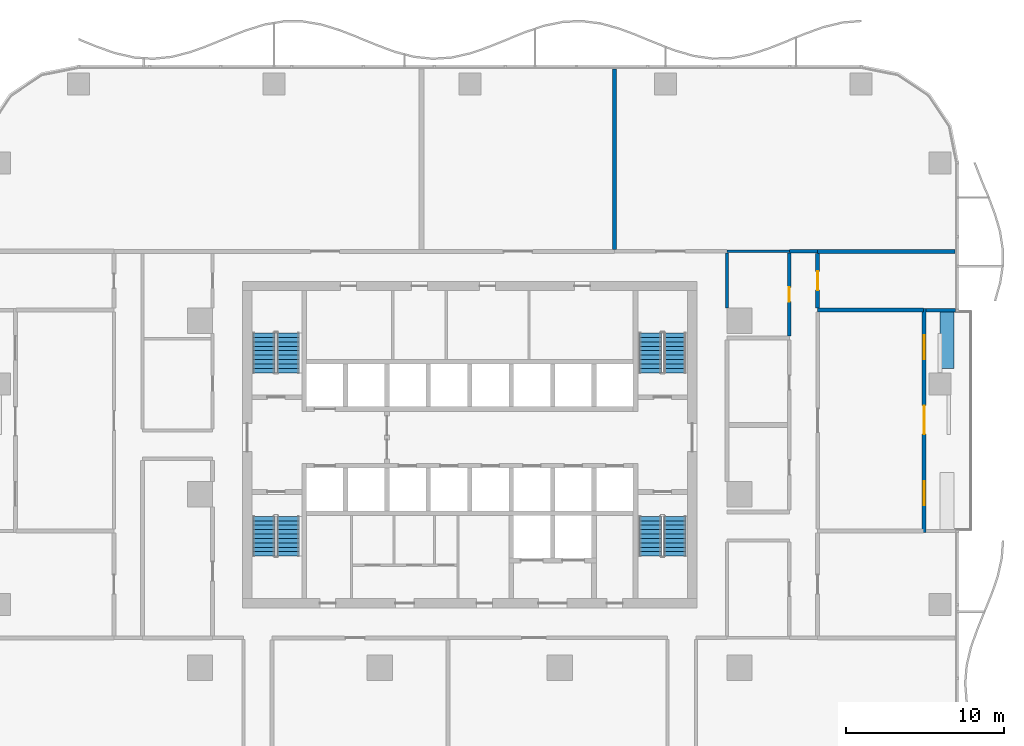
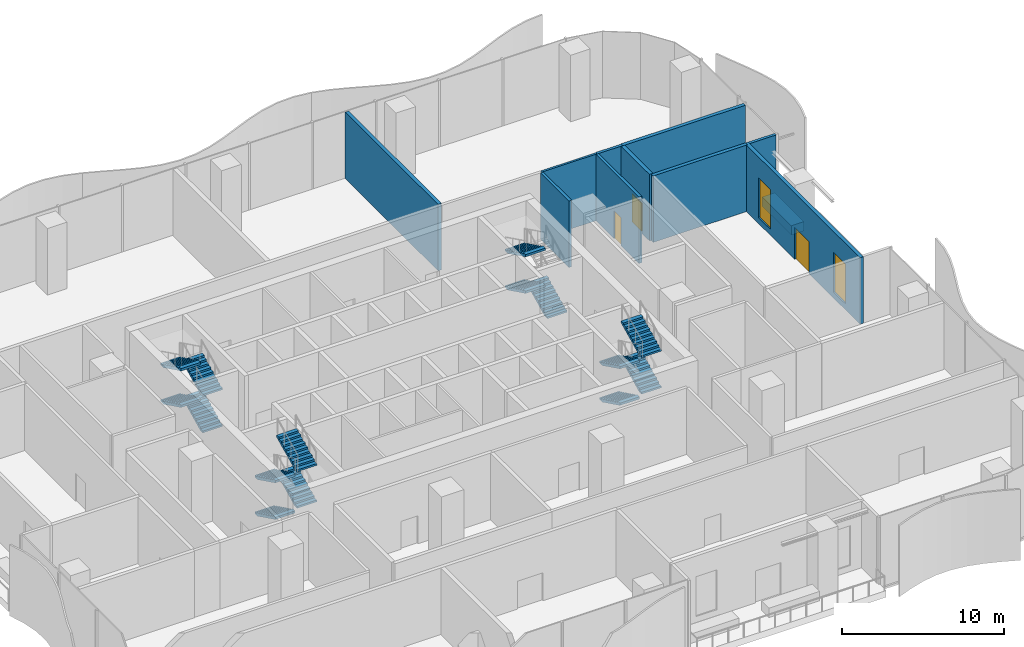
# One storey, part 11 of 20: 15 stair flights, 11 walls, 3 doors, 2 windows, 5 openings, 4 elements without a shape of their own.
"""IFC4 building model written with IfcOpenShell, lengths in metres."""

import ifcopenshell
import ifcopenshell.guid

model = None  # the IFC model being written
_history = None  # IfcOwnerHistory: only IFC2X3 demands one
_inside = {}  # id of a spatial element -> (the spatial element, [elements in it])
_under = {}  # id of a project, library or spatial element -> (it, [spatial elements below it])
_declared = {}  # id of a project -> (the project, [libraries it declares])
_typed = {}  # id of a type object -> (the type object, [elements of that type])
_made_of = {}  # id of a material, layer set ... -> (it, [elements and type objects made of it])


def new_model(schema):
    """Start an empty IFC model of exactly this schema.

    Asked for "IFC4X3", IfcOpenShell would pick the latest addendum, in which some entities
    have other attributes; the version numbers below select the first issue.
    IFC2X3 requires an IfcOwnerHistory on every rooted entity: one is made here for all.
    """
    global model, _history
    if schema == "IFC4X3":
        model = ifcopenshell.file(schema_version=(4, 3, 0, 0))
    else:
        model = ifcopenshell.file(schema=schema)
    _inside.clear()
    _under.clear()
    _declared.clear()
    _typed.clear()
    _made_of.clear()
    _history = None
    if model.schema == "IFC2X3":
        org = make("IfcOrganization", Name="unknown")
        user = make(
            "IfcPersonAndOrganization",
            ThePerson=make("IfcPerson", FamilyName="unknown"),
            TheOrganization=org,
        )
        app = make(
            "IfcApplication",
            ApplicationDeveloper=org,
            Version="unknown",
            ApplicationFullName="unknown",
            ApplicationIdentifier="unknown",
        )
        _history = make(
            "IfcOwnerHistory",
            OwningUser=user,
            OwningApplication=app,
            ChangeAction="ADDED",
            CreationDate=0,
        )
    return model


def make(cls, **values):
    """One entity of the class cls with the attributes given. An attribute that is None is left unset."""
    return model.create_entity(
        cls, **{name: value for name, value in values.items() if value is not None}
    )


def rooted(cls, **values):
    """An entity with a GlobalId (a new one), such as an element, a storey or a relation."""
    return make(cls, GlobalId=ifcopenshell.guid.new(), OwnerHistory=_history, **values)


def si_unit(unit_type, name, prefix=None):
    """IfcSIUnit, for example si_unit("LENGTHUNIT", "METRE", prefix="MILLI")."""
    return make("IfcSIUnit", UnitType=unit_type, Prefix=prefix, Name=name)


def assignment(units):
    """IfcUnitAssignment: the units of a project."""
    return None if units is None else make("IfcUnitAssignment", Units=units)


def point(xyz):
    """IfcCartesianPoint."""
    return None if xyz is None else make("IfcCartesianPoint", Coordinates=xyz)


def direction(xyz):
    """IfcDirection."""
    return None if xyz is None else make("IfcDirection", DirectionRatios=xyz)


def frame(location, z_axis=None, x_axis=None):
    """IfcAxis2Placement3D, a coordinate frame: its origin and axes. An axis left out is left unset."""
    return make(
        "IfcAxis2Placement3D",
        Location=point(location),
        Axis=direction(z_axis),
        RefDirection=direction(x_axis),
    )


def frame_2d(location, x_axis=None):
    """IfcAxis2Placement2D, a coordinate frame in the plane: its origin and x axis."""
    return make(
        "IfcAxis2Placement2D", Location=point(location), RefDirection=direction(x_axis)
    )


def origin():
    """The frame at (0, 0, 0) with its axes left unset."""
    return frame((0.0, 0.0, 0.0))


def place(relative_to, where):
    """IfcLocalPlacement: puts the frame where relative to a parent placement (None: the world)."""
    return make(
        "IfcLocalPlacement", PlacementRelTo=relative_to, RelativePlacement=where
    )


def context(
    kind, dimensions, precision=None, world=None, true_north=None, identifier=None
):
    """IfcGeometricRepresentationContext, for example the 3D "Model" context."""
    return make(
        "IfcGeometricRepresentationContext",
        ContextIdentifier=identifier,
        ContextType=kind,
        CoordinateSpaceDimension=dimensions,
        Precision=precision,
        WorldCoordinateSystem=world,
        TrueNorth=true_north,
    )


def subcontext(parent, identifier, kind, view, scale=None):
    """IfcGeometricRepresentationSubContext, for example "Body" below "Model"."""
    return make(
        "IfcGeometricRepresentationSubContext",
        ContextIdentifier=identifier,
        ContextType=kind,
        ParentContext=parent,
        TargetScale=scale,
        TargetView=view,
    )


def project(units=None, contexts=None):
    """IfcProject with its units and contexts."""
    return rooted(
        "IfcProject",
        Name="project",
        RepresentationContexts=contexts,
        UnitsInContext=assignment(units),
    )


def spatial(cls, under=None, at=None, **own):
    """A site, building, storey or space (cls), placed at a placement, below another one or the project."""
    s = rooted(cls, ObjectPlacement=at, **own)
    if under is not None:
        _under.setdefault(under.id(), (under, []))[1].append(s)
    return s


def polyline(points):
    """IfcPolyline through the points."""
    return make("IfcPolyline", Points=[point(p) for p in points])


def profile(cls, at=None, kind="AREA", **sizes):
    """A parametric profile (cls). Its sizes go by their IFC names, for example OverallWidth=200.0."""
    return make(cls, ProfileType=kind, Position=at, **sizes)


def rectangle(**sizes):
    """IfcRectangleProfileDef."""
    return profile("IfcRectangleProfileDef", **sizes)


def outline(outer, holes=None, kind="AREA"):
    """IfcArbitraryClosedProfileDef: a profile drawn as a closed curve; with holes, ...WithVoids."""
    if holes is None:
        return make("IfcArbitraryClosedProfileDef", ProfileType=kind, OuterCurve=outer)
    return make(
        "IfcArbitraryProfileDefWithVoids",
        ProfileType=kind,
        OuterCurve=outer,
        InnerCurves=holes,
    )


def extrude(swept, where, along, depth):
    """IfcExtrudedAreaSolid: the profile swept, set in the frame where, extruded along a direction by depth."""
    return make(
        "IfcExtrudedAreaSolid",
        SweptArea=swept,
        Position=where,
        ExtrudedDirection=direction(along),
        Depth=depth,
    )


def shape(context_of_items, identifier, shape_type, items):
    """IfcShapeRepresentation: the items that make up one representation, for example the "Body"."""
    return make(
        "IfcShapeRepresentation",
        ContextOfItems=context_of_items,
        RepresentationIdentifier=identifier,
        RepresentationType=shape_type,
        Items=items,
    )


def material(Name=None, Category=None):
    """IfcMaterial."""
    return make("IfcMaterial", Name=Name, Category=Category)


def layer(
    of_material, thickness, ventilated=None, Name=None, Category=None, Priority=None
):
    """IfcMaterialLayer: one layer of a wall or slab, of a material (None: an air gap)."""
    return make(
        "IfcMaterialLayer",
        Material=of_material,
        LayerThickness=thickness,
        IsVentilated=ventilated,
        Name=Name,
        Category=Category,
        Priority=Priority,
    )


def layer_set(layers, Name=None):
    """IfcMaterialLayerSet."""
    return make("IfcMaterialLayerSet", MaterialLayers=layers, LayerSetName=Name)


def made_of(thing, what):
    """Note that an element or type object is made of a material, layer set ...; save() writes the relation."""
    if what is not None:
        _made_of.setdefault(what.id(), (what, []))[1].append(thing)
    return thing


def type_object(cls, material=None, **own):
    """A type object (cls), such as IfcWallType, which elements share."""
    return made_of(rooted(cls, **own), material)


def element(
    cls,
    number,
    at=None,
    inside=None,
    cuts=None,
    type_object=None,
    material=None,
    context=None,
    identifier="Body",
    shape_type=None,
    held_by="IfcProductDefinitionShape",
    body=None,
    shapes=None,
    **own,
):
    """One element of the class cls, such as IfcWall. Its Tag is "e" and its number.

    at: its placement. inside: the storey or other place that contains it. cuts: it is an
    opening in that element (IfcRelVoidsElement). A single representation is given by context,
    identifier, shape_type and body (its items); several are given by shapes. held_by: the class
    of the entity that holds the representations. save() writes the other relations.
    """
    e = rooted(cls, Tag="e%d" % number, ObjectPlacement=at, **own)
    if body is not None:
        shapes = [shape(context, identifier, shape_type, body)]
    if shapes is not None:
        e.Representation = make(held_by, Representations=shapes)
    if inside is not None:
        _inside.setdefault(inside.id(), (inside, []))[1].append(e)
    if cuts is not None:
        rooted(
            "IfcRelVoidsElement", RelatingBuildingElement=cuts, RelatedOpeningElement=e
        )
    if type_object is not None:
        _typed.setdefault(type_object.id(), (type_object, []))[1].append(e)
    return made_of(e, material)


def fill(opening, filler):
    """IfcRelFillsElement: the door or window that sits in an opening."""
    return rooted(
        "IfcRelFillsElement",
        RelatingOpeningElement=opening,
        RelatedBuildingElement=filler,
    )


def aggregate(whole, parts):
    """IfcRelAggregates: a whole, such as a stair, and the parts it consists of."""
    return rooted("IfcRelAggregates", RelatingObject=whole, RelatedObjects=parts)


def save(model, path):
    """Write the relations noted so far, then the file.

    IfcRelAggregates (storeys below a building ...), IfcRelContainedInSpatialStructure (elements
    in a storey), IfcRelDefinesByType, IfcRelAssociatesMaterial and IfcRelDeclares: one each for
    every whole, place, type object, material and project.
    """
    for whole, parts in _under.values():
        aggregate(whole, parts)
    for where, things in _inside.values():
        rooted(
            "IfcRelContainedInSpatialStructure",
            RelatedElements=things,
            RelatingStructure=where,
        )
    for kind, things in _typed.values():
        rooted("IfcRelDefinesByType", RelatedObjects=things, RelatingType=kind)
    for what, things in _made_of.values():
        rooted("IfcRelAssociatesMaterial", RelatedObjects=things, RelatingMaterial=what)
    for by, libraries in _declared.values():
        rooted("IfcRelDeclares", RelatingContext=by, RelatedDefinitions=libraries)
    model.write(path)


model = new_model("IFC4")

# Units and contexts
model_context = context("Model", 3, precision=1e-05, world=origin(), true_north=direction((0.0, 1.0)))
body_context = subcontext(model_context, "Body", "Model", "MODEL_VIEW")
ifc_project = project(units=[si_unit("LENGTHUNIT", "METRE"), si_unit("AREAUNIT", "SQUARE_METRE"), si_unit("VOLUMEUNIT", "CUBIC_METRE"), si_unit("PLANEANGLEUNIT", "RADIAN"), si_unit("MASSUNIT", "GRAM", prefix="KILO")], contexts=[model_context])

# Site, building, storey
site_placement = place(None, origin())
site = spatial("IfcSite", under=ifc_project, at=site_placement, CompositionType="ELEMENT")
building_placement = place(site_placement, origin())
building = spatial("IfcBuilding", under=site, at=building_placement, Name="Mopane Tessera Tower", CompositionType="ELEMENT")
storey_placement = place(building_placement, frame((0.0, 0.0, 14.5)))
storey = spatial("IfcBuildingStorey", under=building, at=storey_placement, Name="L02", CompositionType="ELEMENT", Elevation=14.5)

# Walls
ifc_material_1 = material(Name="Gypsum board on steel studs, two layers each face, mineral wool infill", Category="steel")
ifc_layer_1 = layer(ifc_material_1, 0.199951171875)
ifc_layer_set_1 = layer_set([ifc_layer_1], Name="Gypsum board on steel studs, two layers each face, mineral wool infill")
wall_type_1 = type_object("IfcWallType", Name="Gypsum board corridor wall 200, rated EI 60", PredefinedType="PARTITIONING", material=ifc_layer_set_1)
wall_1_placement = place(storey_placement, frame((20.25, 15.39990234375, 0.0), z_axis=(0.0, 0.0, 1.0), x_axis=(1.0, 0.0, 0.0)))
element("IfcWall", 1, at=wall_1_placement, inside=storey, type_object=wall_type_1, Name="Partition L02:030", PredefinedType="PARTITIONING", context=body_context, shape_type="SweptSolid", body=[
    extrude(rectangle(XDim=1.800048828125, YDim=0.199951171875, at=frame_2d((0.89990234375, 0.0))), origin(), (0.0, 0.0, 1.0), 5.0),
])
wall_2_placement = place(storey_placement, frame((16.300048828125, 11.800048828125, 0.0), z_axis=(0.0, 0.0, 1.0), x_axis=(0.0, 1.0, 0.0)))
element("IfcWall", 2, at=wall_2_placement, inside=storey, type_object=wall_type_1, Name="Partition L02:054", PredefinedType="PARTITIONING", context=body_context, shape_type="SweptSolid", body=[
    extrude(rectangle(XDim=3.5, YDim=0.199951171875, at=frame_2d((1.75, 0.0))), origin(), (0.0, 0.0, 1.0), 5.0),
])

# Wall, opening, door
wall_3_placement = place(storey_placement, frame((20.25, 10.014892578125, 0.0), z_axis=(0.0, 0.0, 1.0), x_axis=(0.0, 1.0, 0.0)))
wall_3 = element("IfcWall", 3, at=wall_3_placement, inside=storey, type_object=wall_type_1, Name="Partition L02:057", PredefinedType="PARTITIONING", context=body_context, shape_type="SweptSolid", body=[
    extrude(rectangle(XDim=5.28515625, YDim=0.199951171875, at=frame_2d((2.642578125, 0.0))), origin(), (0.0, 0.0, 1.0), 5.0),
])
opening_1_placement = place(wall_3_placement, frame((2.1923828125, 0.0, 0.0)))
opening_1 = element("IfcOpeningElement", 4, at=opening_1_placement, cuts=wall_3, Name="Opening L02-20", PredefinedType="OPENING", context=body_context, shape_type="SweptSolid", body=[
    extrude(rectangle(XDim=0.89990234375, YDim=2.10009765625, at=frame_2d((0.449951171875, 1.050048828125))), frame((0.0, 0.112060546875, 0.0), z_axis=(0.0, -1.0, 0.0), x_axis=(1.0, 0.0, 0.0)), (0.0, 0.0, 1.0), 0.223876953125),
])
ifc_material_2 = material(Name="Timber veneered steel-framed fire door", Category="steel")
door_type_1 = type_object("IfcDoorType", Name="Fire door FD60 900 x 2100", OperationType="SINGLE_SWING_LEFT", PredefinedType="DOOR", material=ifc_material_2)
door_1_placement = place(opening_1_placement, origin())
door_1 = element("IfcDoor", 5, at=door_1_placement, inside=storey, type_object=door_type_1, Name="Door L02-20", ObjectType="D10A", OperationType="SINGLE_SWING_LEFT", OverallHeight=2.10009765625, OverallWidth=0.89990234375, PredefinedType="DOOR", context=body_context, shape_type="SweptSolid", body=[
    extrude(rectangle(XDim=0.89990234375, YDim=2.10009765625, at=frame_2d((0.449951171875, 1.050048828125))), frame((0.0, 0.02490234375, 0.0), z_axis=(0.0, -1.0, 0.0), x_axis=(1.0, 0.0, 0.0)), (0.0, 0.0, 1.0), 0.050048828125),
])
fill(opening_1, door_1)

# Walls
ifc_material_3 = material(Name="Gypsum board on steel studs, mineral wool infill", Category="steel")
ifc_layer_2 = layer(ifc_material_3, 0.14990234375)
ifc_layer_set_2 = layer_set([ifc_layer_2], Name="Gypsum board on steel studs, mineral wool infill")
wall_type_2 = type_object("IfcWallType", Name="Gypsum board partition 150, rated EI 60", PredefinedType="PARTITIONING", material=ifc_layer_set_2)
wall_4_placement = place(storey_placement, frame((16.300048828125, 15.39990234375, 0.0), z_axis=(0.0, 0.0, 1.0), x_axis=(1.0, 0.0, 0.0)))
element("IfcWall", 6, at=wall_4_placement, inside=storey, type_object=wall_type_2, Name="Partition L02:028", PredefinedType="PARTITIONING", context=body_context, shape_type="SweptSolid", body=[
    extrude(rectangle(XDim=3.949951171875, YDim=0.14990234375, at=frame_2d((1.97509765625, 0.0))), origin(), (0.0, 0.0, 1.0), 5.0),
])
ifc_material_4 = material(Name="Reinforced concrete C32/40 with waterproofing", Category="concrete")
ifc_layer_3 = layer(ifc_material_4, 0.89990234375)
ifc_layer_set_3 = layer_set([ifc_layer_3], Name="Reinforced concrete C32/40 with waterproofing")
wall_type_3 = type_object("IfcWallType", Name="Planter trough 3600 x 900", PredefinedType="STANDARD", material=ifc_layer_set_3)
wall_5_placement = place(storey_placement, frame((30.25, 7.966552734375, 0.0), z_axis=(0.0, 0.0, 1.0), x_axis=(0.0, 1.0, 0.0)))
element("IfcWall", 7, at=wall_5_placement, inside=storey, type_object=wall_type_3, Name="e:nw:L02:N2:pl1", PredefinedType="STANDARD", context=body_context, shape_type="SweptSolid", body=[
    extrude(rectangle(XDim=3.60009765625, YDim=0.89990234375, at=frame_2d((1.800048828125, 0.0))), origin(), (0.0, 0.0, 1.0), 0.699951171875),
])
ifc_material_5 = material(Name="Plastered concrete blockwork C20/25", Category="masonry")
ifc_layer_4 = layer(ifc_material_5, 0.25)
ifc_layer_set_4 = layer_set([ifc_layer_4], Name="Plastered concrete blockwork C20/25")
wall_type_4 = type_object("IfcWallType", Name="Plastered blockwork wall 250, rated EI 120", PredefinedType="PARTITIONING", material=ifc_layer_set_4)
wall_6_placement = place(storey_placement, frame((22.050048828125, 11.6650390625, 0.0), z_axis=(0.0, 0.0, 1.0), x_axis=(1.0, 0.0, 0.0)))
element("IfcWall", 8, at=wall_6_placement, inside=storey, type_object=wall_type_4, Name="Partition L02:027", PredefinedType="PARTITIONING", context=body_context, shape_type="SweptSolid", body=[
    extrude(rectangle(XDim=6.699951171875, YDim=0.25, at=frame_2d((3.35009765625, 0.0))), origin(), (0.0, 0.0, 1.0), 5.0),
])
wall_7_placement = place(storey_placement, frame((22.050048828125, 15.39990234375, 0.0), z_axis=(0.0, 0.0, 1.0), x_axis=(1.0, 0.0, 0.0)))
element("IfcWall", 9, at=wall_7_placement, inside=storey, type_object=wall_type_4, Name="Partition L02:032", PredefinedType="PARTITIONING", context=body_context, shape_type="SweptSolid", body=[
    extrude(rectangle(XDim=8.699951171875, YDim=0.25, at=frame_2d((4.35009765625, 0.0))), origin(), (0.0, 0.0, 1.0), 5.0),
])
wall_8_placement = place(storey_placement, frame((9.1650390625, 15.52490234375, 0.0), z_axis=(0.0, 0.0, 1.0), x_axis=(0.0, 1.0, 0.0)))
element("IfcWall", 10, at=wall_8_placement, inside=storey, type_object=wall_type_4, Name="Partition L02:049", PredefinedType="PARTITIONING", context=body_context, shape_type="SweptSolid", body=[
    extrude(rectangle(XDim=11.425048828125, YDim=0.25, at=frame_2d((5.71240234375, 0.0))), origin(), (0.0, 0.0, 1.0), 5.0),
])

# Wall, opening, door
wall_9_placement = place(storey_placement, frame((22.050048828125, 11.7900390625, 0.0), z_axis=(0.0, 0.0, 1.0), x_axis=(0.0, 1.0, 0.0)))
wall_9 = element("IfcWall", 11, at=wall_9_placement, inside=storey, type_object=wall_type_4, Name="Partition L02:061", PredefinedType="PARTITIONING", context=body_context, shape_type="SweptSolid", body=[
    extrude(rectangle(XDim=3.48486328125, YDim=0.25, at=frame_2d((1.742431640625, 0.0))), origin(), (0.0, 0.0, 1.0), 5.0),
])
opening_2_placement = place(wall_9_placement, frame((1.142578125, 0.0, 0.0)))
opening_2 = element("IfcOpeningElement", 12, at=opening_2_placement, cuts=wall_9, Name="Opening L02-03", PredefinedType="OPENING", context=body_context, shape_type="SweptSolid", body=[
    extrude(rectangle(XDim=1.199951171875, YDim=2.10009765625, at=frame_2d((0.60009765625, 1.050048828125))), frame((0.0, 0.136962890625, 0.0), z_axis=(0.0, -1.0, 0.0), x_axis=(1.0, 0.0, 0.0)), (0.0, 0.0, 1.0), 0.27392578125),
])
ifc_material_6 = material(Name="Timber veneered steel-framed fire door", Category="steel")
door_type_2 = type_object("IfcDoorType", Name="Fire door FD120 1200 x 2100", OperationType="SINGLE_SWING_LEFT", PredefinedType="DOOR", material=ifc_material_6)
door_2_placement = place(opening_2_placement, origin())
door_2 = element("IfcDoor", 13, at=door_2_placement, inside=storey, type_object=door_type_2, Name="Door L02-03", ObjectType="D15B", OperationType="SINGLE_SWING_RIGHT", OverallHeight=2.10009765625, OverallWidth=1.199951171875, PredefinedType="DOOR", context=body_context, shape_type="SweptSolid", body=[
    extrude(rectangle(XDim=1.199951171875, YDim=2.10009765625, at=frame_2d((0.60009765625, 1.050048828125))), frame((0.0, 0.02490234375, 0.0), z_axis=(0.0, -1.0, 0.0), x_axis=(1.0, 0.0, 0.0)), (0.0, 0.0, 1.0), 0.050048828125),
])
fill(opening_2, door_2)

# Wall
ifc_material_7 = material(Name="Blockwork with glazed tile facing", Category="masonry")
ifc_layer_5 = layer(ifc_material_7, 0.199951171875)
ifc_layer_set_5 = layer_set([ifc_layer_5], Name="Blockwork with glazed tile facing")
wall_type_5 = type_object("IfcWallType", Name="Terrace cheek wall 200", PredefinedType="STANDARD", material=ifc_layer_set_5)
wall_10_placement = place(storey_placement, frame((30.800048828125, 11.666748046875, 0.0), z_axis=(0.0, 0.0, 1.0), x_axis=(-1.0, 0.0, 0.0)))
element("IfcWall", 14, at=wall_10_placement, inside=storey, type_object=wall_type_5, Name="e:nw:L02:N2:cheekb", PredefinedType="STANDARD", context=body_context, shape_type="SweptSolid", body=[
    extrude(rectangle(XDim=1.875, YDim=0.199951171875, at=frame_2d((0.9375, 0.0))), origin(), (0.0, 0.0, 1.0), 5.0),
])

# Wall, openings, windows, door
ifc_material_8 = material(Name="Blockwork with turquoise glazed tile facing", Category="masonry")
ifc_layer_6 = layer(ifc_material_8, 0.25)
ifc_layer_set_6 = layer_set([ifc_layer_6], Name="Blockwork with turquoise glazed tile facing")
wall_type_6 = type_object("IfcWallType", Name="Tile-clad external wall 250, turquoise", PredefinedType="STANDARD", material=ifc_layer_set_6)
wall_11_placement = place(storey_placement, frame((28.800048828125, -2.433349609375, 0.0), z_axis=(0.0, 0.0, 1.0), x_axis=(0.0, 1.0, 0.0)))
wall_11 = element("IfcWall", 15, at=wall_11_placement, inside=storey, type_object=wall_type_6, Name="e:nw:L02:N2:back", PredefinedType="STANDARD", context=body_context, shape_type="SweptSolid", body=[
    extrude(rectangle(XDim=14.199951171875, YDim=0.25, at=frame_2d((7.10009765625, 0.0))), origin(), (0.0, 0.0, 1.0), 5.0),
])
opening_3_placement = place(wall_11_placement, frame((1.75, 0.0, 0.449951171875)))
opening_3 = element("IfcOpeningElement", 16, at=opening_3_placement, cuts=wall_11, Name="Opening NW022A", PredefinedType="OPENING", context=body_context, shape_type="SweptSolid", body=[
    extrude(rectangle(XDim=1.5, YDim=3.0, at=frame_2d((0.75, 1.5))), frame((0.0, 0.136962890625, 0.0), z_axis=(0.0, -1.0, 0.0), x_axis=(1.0, 0.0, 0.0)), (0.0, 0.0, 1.0), 0.27392578125),
])
opening_4_placement = place(wall_11_placement, frame((6.25, 0.0, 0.0)))
opening_4 = element("IfcOpeningElement", 17, at=opening_4_placement, cuts=wall_11, Name="Opening ND022", PredefinedType="OPENING", context=body_context, shape_type="SweptSolid", body=[
    extrude(rectangle(XDim=1.800048828125, YDim=2.39990234375, at=frame_2d((0.89990234375, 1.199951171875))), frame((0.0, 0.136962890625, 0.0), z_axis=(0.0, -1.0, 0.0), x_axis=(1.0, 0.0, 0.0)), (0.0, 0.0, 1.0), 0.27392578125),
])
opening_5_placement = place(wall_11_placement, frame((11.0, 0.0, 0.449951171875)))
opening_5 = element("IfcOpeningElement", 18, at=opening_5_placement, cuts=wall_11, Name="Opening NW022B", PredefinedType="OPENING", context=body_context, shape_type="SweptSolid", body=[
    extrude(rectangle(XDim=1.5, YDim=3.0, at=frame_2d((0.75, 1.5))), frame((0.0, 0.136962890625, 0.0), z_axis=(0.0, -1.0, 0.0), x_axis=(1.0, 0.0, 0.0)), (0.0, 0.0, 1.0), 0.27392578125),
])
ifc_material_9 = material(Name="Clear laminated glass", Category="glass")
window_type = type_object("IfcWindowType", Name="Fixed window 1500 x 3000", PartitioningType="SINGLE_PANEL", PredefinedType="WINDOW", material=ifc_material_9)
window_1_placement = place(opening_3_placement, origin())
window_1 = element("IfcWindow", 19, at=window_1_placement, inside=storey, type_object=window_type, Name="e:nw:L02:N2:win0", OverallHeight=3.0, OverallWidth=1.5, PartitioningType="SINGLE_PANEL", PredefinedType="WINDOW", context=body_context, shape_type="SweptSolid", body=[
    extrude(rectangle(XDim=1.5, YDim=3.0, at=frame_2d((0.75, 1.5))), frame((0.0, 0.030029296875, 0.0), z_axis=(0.0, -1.0, 0.0), x_axis=(1.0, 0.0, 0.0)), (0.0, 0.0, 1.0), 0.06005859375),
])
fill(opening_3, window_1)
window_2_placement = place(opening_5_placement, origin())
window_2 = element("IfcWindow", 20, at=window_2_placement, inside=storey, type_object=window_type, Name="e:nw:L02:N2:win2", OverallHeight=3.0, OverallWidth=1.5, PartitioningType="SINGLE_PANEL", PredefinedType="WINDOW", context=body_context, shape_type="SweptSolid", body=[
    extrude(rectangle(XDim=1.5, YDim=3.0, at=frame_2d((0.75, 1.5))), frame((0.0, 0.030029296875, 0.0), z_axis=(0.0, -1.0, 0.0), x_axis=(1.0, 0.0, 0.0)), (0.0, 0.0, 1.0), 0.06005859375),
])
fill(opening_5, window_2)
ifc_material_10 = material(Name="Aluminium and clear glass", Category="aluminium")
door_type_3 = type_object("IfcDoorType", Name="Terrace double door 1800 x 2400", OperationType="DOUBLE_DOOR_SINGLE_SWING", PredefinedType="DOOR", material=ifc_material_10)
door_3_placement = place(opening_4_placement, origin())
door_3 = element("IfcDoor", 21, at=door_3_placement, inside=storey, type_object=door_type_3, Name="e:nw:L02:N2:door", ObjectType="D1", OperationType="DOUBLE_DOOR_SINGLE_SWING", OverallHeight=2.39990234375, OverallWidth=1.800048828125, PredefinedType="DOOR", context=body_context, shape_type="SweptSolid", body=[
    extrude(rectangle(XDim=1.800048828125, YDim=2.39990234375, at=frame_2d((0.89990234375, 1.199951171875))), frame((0.0, 0.02490234375, 0.0), z_axis=(0.0, -1.0, 0.0), x_axis=(1.0, 0.0, 0.0)), (0.0, 0.0, 1.0), 0.050048828125),
])
fill(opening_4, door_3)

# Stair, stair flights
ifc_material_11 = material(Name="Concrete C50/60", Category="concrete")
stair_type = type_object("IfcStairType", Name="Escape stair 1400 mm, riser 138 mm", PredefinedType="HALF_TURN_STAIR", material=ifc_material_11)
stair_1_placement = place(storey_placement, origin())
stair_1 = element("IfcStair", 22, at=stair_1_placement, inside=storey, type_object=stair_type, Name="L02 Escape stair south-west", PredefinedType="HALF_TURN_STAIR")
ifc_material_12 = material(Name="Concrete C50/60", Category="concrete")
stair_flight_type = type_object("IfcStairFlightType", Name="Escape stair flight 1400 mm", PredefinedType="STRAIGHT", material=ifc_material_12)
stair_flight_1_placement = place(storey_placement, frame((-13.050048828125, -1.39990234375, 0.0), z_axis=(0.0, 0.0, 1.0), x_axis=(0.0, -1.0, 0.0)))
stair_flight_1 = element("IfcStairFlight", 23, at=stair_flight_1_placement, type_object=stair_flight_type, Name="ST1 flight 1", NumberOfRisers=10, NumberOfTreads=9, PredefinedType="STRAIGHT", RiserHeight=0.1375, TreadLength=0.28, context=body_context, shape_type="SweptSolid", body=[
    extrude(outline(polyline([(0.0, 0.0), (0.0, 0.137451171875), (0.280029296875, 0.137451171875), (0.280029296875, 0.27490234375), (0.56005859375, 0.27490234375), (0.56005859375, 0.41259765625), (0.840087890625, 0.41259765625), (0.840087890625, 0.550048828125), (1.1201171875, 0.550048828125), (1.1201171875, 0.6875), (1.39990234375, 0.6875), (1.39990234375, 0.824951171875), (1.679931640625, 0.824951171875), (1.679931640625, 0.96240234375), (1.9599609375, 0.96240234375), (1.9599609375, 1.10009765625), (2.239990234375, 1.10009765625), (2.239990234375, 1.237548828125), (2.52001953125, 1.237548828125), (2.52001953125, 1.375), (2.52001953125, 1.070556640625), (0.340087890625, 0.0), (0.0, 0.0)])), frame((0.0, 0.699951171875, 0.0), z_axis=(0.0, -1.0, 0.0), x_axis=(1.0, 0.0, 0.0)), (0.0, 0.0, 1.0), 1.39990234375),
])
stair_flight_2_placement = place(storey_placement, frame((-11.5, -3.919921875, 1.375), z_axis=(0.0, 0.0, 1.0), x_axis=(0.0, 1.0, 0.0)))
stair_flight_2 = element("IfcStairFlight", 24, at=stair_flight_2_placement, type_object=stair_flight_type, Name="ST1 flight 2", NumberOfRisers=10, NumberOfTreads=9, PredefinedType="STRAIGHT", RiserHeight=0.1375, TreadLength=0.28, context=body_context, shape_type="SweptSolid", body=[
    extrude(outline(polyline([(0.0, 0.0), (0.0, 0.137451171875), (0.280029296875, 0.137451171875), (0.280029296875, 0.27490234375), (0.56005859375, 0.27490234375), (0.56005859375, 0.41259765625), (0.840087890625, 0.41259765625), (0.840087890625, 0.550048828125), (1.1201171875, 0.550048828125), (1.1201171875, 0.6875), (1.39990234375, 0.6875), (1.39990234375, 0.824951171875), (1.679931640625, 0.824951171875), (1.679931640625, 0.96240234375), (1.9599609375, 0.96240234375), (1.9599609375, 1.10009765625), (2.239990234375, 1.10009765625), (2.239990234375, 1.237548828125), (2.52001953125, 1.237548828125), (2.52001953125, 1.375), (2.52001953125, 1.070556640625), (0.340087890625, 0.0), (0.0, 0.0)])), frame((0.0, 0.699951171875, 0.0), z_axis=(0.0, -1.0, 0.0), x_axis=(1.0, 0.0, 0.0)), (0.0, 0.0, 1.0), 1.39990234375),
])
stair_flight_3_placement = place(storey_placement, frame((-13.050048828125, -1.39990234375, 2.75), z_axis=(0.0, 0.0, 1.0), x_axis=(0.0, -1.0, 0.0)))
stair_flight_3 = element("IfcStairFlight", 25, at=stair_flight_3_placement, type_object=stair_flight_type, Name="ST1 flight 3", NumberOfRisers=10, NumberOfTreads=9, PredefinedType="STRAIGHT", RiserHeight=0.1375, TreadLength=0.28, context=body_context, shape_type="SweptSolid", body=[
    extrude(outline(polyline([(0.0, 0.0), (0.0, 0.137451171875), (0.280029296875, 0.137451171875), (0.280029296875, 0.27490234375), (0.56005859375, 0.27490234375), (0.56005859375, 0.41259765625), (0.840087890625, 0.41259765625), (0.840087890625, 0.550048828125), (1.1201171875, 0.550048828125), (1.1201171875, 0.6875), (1.39990234375, 0.6875), (1.39990234375, 0.824951171875), (1.679931640625, 0.824951171875), (1.679931640625, 0.96240234375), (1.9599609375, 0.96240234375), (1.9599609375, 1.10009765625), (2.239990234375, 1.10009765625), (2.239990234375, 1.237548828125), (2.52001953125, 1.237548828125), (2.52001953125, 1.375), (2.52001953125, 1.070556640625), (0.340087890625, 0.0), (0.0, 0.0)])), frame((0.0, 0.699951171875, 0.0), z_axis=(0.0, -1.0, 0.0), x_axis=(1.0, 0.0, 0.0)), (0.0, 0.0, 1.0), 1.39990234375),
])
stair_flight_4_placement = place(storey_placement, frame((-11.5, -3.919921875, 4.125), z_axis=(0.0, 0.0, 1.0), x_axis=(0.0, 1.0, 0.0)))
stair_flight_4 = element("IfcStairFlight", 26, at=stair_flight_4_placement, type_object=stair_flight_type, Name="ST1 flight 4", NumberOfRisers=10, NumberOfTreads=9, PredefinedType="STRAIGHT", RiserHeight=0.1375, TreadLength=0.28, context=body_context, shape_type="SweptSolid", body=[
    extrude(outline(polyline([(0.0, 0.0), (0.0, 0.137451171875), (0.280029296875, 0.137451171875), (0.280029296875, 0.27490234375), (0.56005859375, 0.27490234375), (0.56005859375, 0.41259765625), (0.840087890625, 0.41259765625), (0.840087890625, 0.550048828125), (1.1201171875, 0.550048828125), (1.1201171875, 0.6875), (1.39990234375, 0.6875), (1.39990234375, 0.824951171875), (1.679931640625, 0.824951171875), (1.679931640625, 0.96240234375), (1.9599609375, 0.96240234375), (1.9599609375, 1.10009765625), (2.239990234375, 1.10009765625), (2.239990234375, 1.237548828125), (2.52001953125, 1.237548828125), (2.52001953125, 1.375), (2.52001953125, 1.070556640625), (0.340087890625, 0.0), (0.0, 0.0)])), frame((0.0, 0.699951171875, 0.0), z_axis=(0.0, -1.0, 0.0), x_axis=(1.0, 0.0, 0.0)), (0.0, 0.0, 1.0), 1.39990234375),
])
aggregate(stair_1, [stair_flight_1, stair_flight_2, stair_flight_3, stair_flight_4])

stair_2_placement = place(storey_placement, origin())
stair_2 = element("IfcStair", 27, at=stair_2_placement, inside=storey, type_object=stair_type, Name="L02 Escape stair north-west", PredefinedType="HALF_TURN_STAIR")
stair_flight_5_placement = place(storey_placement, frame((-11.5, 7.699951171875, 0.0), z_axis=(0.0, 0.0, 1.0), x_axis=(0.0, 1.0, 0.0)))
stair_flight_5 = element("IfcStairFlight", 28, at=stair_flight_5_placement, type_object=stair_flight_type, Name="ST2 flight 1", NumberOfRisers=10, NumberOfTreads=9, PredefinedType="STRAIGHT", RiserHeight=0.1375, TreadLength=0.28, context=body_context, shape_type="SweptSolid", body=[
    extrude(outline(polyline([(0.0, 0.0), (0.0, 0.137451171875), (0.280029296875, 0.137451171875), (0.280029296875, 0.27490234375), (0.56005859375, 0.27490234375), (0.56005859375, 0.41259765625), (0.840087890625, 0.41259765625), (0.840087890625, 0.550048828125), (1.1201171875, 0.550048828125), (1.1201171875, 0.6875), (1.39990234375, 0.6875), (1.39990234375, 0.824951171875), (1.679931640625, 0.824951171875), (1.679931640625, 0.96240234375), (1.9599609375, 0.96240234375), (1.9599609375, 1.10009765625), (2.239990234375, 1.10009765625), (2.239990234375, 1.237548828125), (2.52001953125, 1.237548828125), (2.52001953125, 1.375), (2.52001953125, 1.070556640625), (0.340087890625, 0.0), (0.0, 0.0)])), frame((0.0, 0.699951171875, 0.0), z_axis=(0.0, -1.0, 0.0), x_axis=(1.0, 0.0, 0.0)), (0.0, 0.0, 1.0), 1.39990234375),
])
stair_flight_6_placement = place(storey_placement, frame((-13.050048828125, 10.219970703125, 1.375), z_axis=(0.0, 0.0, 1.0), x_axis=(0.0, -1.0, 0.0)))
stair_flight_6 = element("IfcStairFlight", 29, at=stair_flight_6_placement, type_object=stair_flight_type, Name="ST2 flight 2", NumberOfRisers=10, NumberOfTreads=9, PredefinedType="STRAIGHT", RiserHeight=0.1375, TreadLength=0.28, context=body_context, shape_type="SweptSolid", body=[
    extrude(outline(polyline([(0.0, 0.0), (0.0, 0.137451171875), (0.280029296875, 0.137451171875), (0.280029296875, 0.27490234375), (0.56005859375, 0.27490234375), (0.56005859375, 0.41259765625), (0.840087890625, 0.41259765625), (0.840087890625, 0.550048828125), (1.1201171875, 0.550048828125), (1.1201171875, 0.6875), (1.39990234375, 0.6875), (1.39990234375, 0.824951171875), (1.679931640625, 0.824951171875), (1.679931640625, 0.96240234375), (1.9599609375, 0.96240234375), (1.9599609375, 1.10009765625), (2.239990234375, 1.10009765625), (2.239990234375, 1.237548828125), (2.52001953125, 1.237548828125), (2.52001953125, 1.375), (2.52001953125, 1.070556640625), (0.340087890625, 0.0), (0.0, 0.0)])), frame((0.0, 0.699951171875, 0.0), z_axis=(0.0, -1.0, 0.0), x_axis=(1.0, 0.0, 0.0)), (0.0, 0.0, 1.0), 1.39990234375),
])
stair_flight_7_placement = place(storey_placement, frame((-11.5, 7.699951171875, 2.75), z_axis=(0.0, 0.0, 1.0), x_axis=(0.0, 1.0, 0.0)))
stair_flight_7 = element("IfcStairFlight", 30, at=stair_flight_7_placement, type_object=stair_flight_type, Name="ST2 flight 3", NumberOfRisers=10, NumberOfTreads=9, PredefinedType="STRAIGHT", RiserHeight=0.1375, TreadLength=0.28, context=body_context, shape_type="SweptSolid", body=[
    extrude(outline(polyline([(0.0, 0.0), (0.0, 0.137451171875), (0.280029296875, 0.137451171875), (0.280029296875, 0.27490234375), (0.56005859375, 0.27490234375), (0.56005859375, 0.41259765625), (0.840087890625, 0.41259765625), (0.840087890625, 0.550048828125), (1.1201171875, 0.550048828125), (1.1201171875, 0.6875), (1.39990234375, 0.6875), (1.39990234375, 0.824951171875), (1.679931640625, 0.824951171875), (1.679931640625, 0.96240234375), (1.9599609375, 0.96240234375), (1.9599609375, 1.10009765625), (2.239990234375, 1.10009765625), (2.239990234375, 1.237548828125), (2.52001953125, 1.237548828125), (2.52001953125, 1.375), (2.52001953125, 1.070556640625), (0.340087890625, 0.0), (0.0, 0.0)])), frame((0.0, 0.699951171875, 0.0), z_axis=(0.0, -1.0, 0.0), x_axis=(1.0, 0.0, 0.0)), (0.0, 0.0, 1.0), 1.39990234375),
])
stair_flight_8_placement = place(storey_placement, frame((-13.050048828125, 10.219970703125, 4.125), z_axis=(0.0, 0.0, 1.0), x_axis=(0.0, -1.0, 0.0)))
stair_flight_8 = element("IfcStairFlight", 31, at=stair_flight_8_placement, type_object=stair_flight_type, Name="ST2 flight 4", NumberOfRisers=10, NumberOfTreads=9, PredefinedType="STRAIGHT", RiserHeight=0.1375, TreadLength=0.28, context=body_context, shape_type="SweptSolid", body=[
    extrude(outline(polyline([(0.0, 0.0), (0.0, 0.137451171875), (0.280029296875, 0.137451171875), (0.280029296875, 0.27490234375), (0.56005859375, 0.27490234375), (0.56005859375, 0.41259765625), (0.840087890625, 0.41259765625), (0.840087890625, 0.550048828125), (1.1201171875, 0.550048828125), (1.1201171875, 0.6875), (1.39990234375, 0.6875), (1.39990234375, 0.824951171875), (1.679931640625, 0.824951171875), (1.679931640625, 0.96240234375), (1.9599609375, 0.96240234375), (1.9599609375, 1.10009765625), (2.239990234375, 1.10009765625), (2.239990234375, 1.237548828125), (2.52001953125, 1.237548828125), (2.52001953125, 1.375), (2.52001953125, 1.070556640625), (0.340087890625, 0.0), (0.0, 0.0)])), frame((0.0, 0.699951171875, 0.0), z_axis=(0.0, -1.0, 0.0), x_axis=(1.0, 0.0, 0.0)), (0.0, 0.0, 1.0), 1.39990234375),
])
aggregate(stair_2, [stair_flight_5, stair_flight_6, stair_flight_7, stair_flight_8])

stair_3_placement = place(storey_placement, origin())
stair_3 = element("IfcStair", 32, at=stair_3_placement, inside=storey, type_object=stair_type, Name="L02 Escape stair south-east", PredefinedType="HALF_TURN_STAIR")
stair_flight_9_placement = place(storey_placement, frame((11.449951171875, -1.39990234375, 0.0), z_axis=(0.0, 0.0, 1.0), x_axis=(0.0, -1.0, 0.0)))
stair_flight_9 = element("IfcStairFlight", 33, at=stair_flight_9_placement, type_object=stair_flight_type, Name="ST3 flight 1", NumberOfRisers=10, NumberOfTreads=9, PredefinedType="STRAIGHT", RiserHeight=0.1375, TreadLength=0.28, context=body_context, shape_type="SweptSolid", body=[
    extrude(outline(polyline([(0.0, 0.0), (0.0, 0.137451171875), (0.280029296875, 0.137451171875), (0.280029296875, 0.27490234375), (0.56005859375, 0.27490234375), (0.56005859375, 0.41259765625), (0.840087890625, 0.41259765625), (0.840087890625, 0.550048828125), (1.1201171875, 0.550048828125), (1.1201171875, 0.6875), (1.39990234375, 0.6875), (1.39990234375, 0.824951171875), (1.679931640625, 0.824951171875), (1.679931640625, 0.96240234375), (1.9599609375, 0.96240234375), (1.9599609375, 1.10009765625), (2.239990234375, 1.10009765625), (2.239990234375, 1.237548828125), (2.52001953125, 1.237548828125), (2.52001953125, 1.375), (2.52001953125, 1.070556640625), (0.340087890625, 0.0), (0.0, 0.0)])), frame((0.0, 0.699951171875, 0.0), z_axis=(0.0, -1.0, 0.0), x_axis=(1.0, 0.0, 0.0)), (0.0, 0.0, 1.0), 1.39990234375),
])
stair_flight_10_placement = place(storey_placement, frame((13.0, -3.919921875, 1.375), z_axis=(0.0, 0.0, 1.0), x_axis=(0.0, 1.0, 0.0)))
stair_flight_10 = element("IfcStairFlight", 34, at=stair_flight_10_placement, type_object=stair_flight_type, Name="ST3 flight 2", NumberOfRisers=10, NumberOfTreads=9, PredefinedType="STRAIGHT", RiserHeight=0.1375, TreadLength=0.28, context=body_context, shape_type="SweptSolid", body=[
    extrude(outline(polyline([(0.0, 0.0), (0.0, 0.137451171875), (0.280029296875, 0.137451171875), (0.280029296875, 0.27490234375), (0.56005859375, 0.27490234375), (0.56005859375, 0.41259765625), (0.840087890625, 0.41259765625), (0.840087890625, 0.550048828125), (1.1201171875, 0.550048828125), (1.1201171875, 0.6875), (1.39990234375, 0.6875), (1.39990234375, 0.824951171875), (1.679931640625, 0.824951171875), (1.679931640625, 0.96240234375), (1.9599609375, 0.96240234375), (1.9599609375, 1.10009765625), (2.239990234375, 1.10009765625), (2.239990234375, 1.237548828125), (2.52001953125, 1.237548828125), (2.52001953125, 1.375), (2.52001953125, 1.070556640625), (0.340087890625, 0.0), (0.0, 0.0)])), frame((0.0, 0.699951171875, 0.0), z_axis=(0.0, -1.0, 0.0), x_axis=(1.0, 0.0, 0.0)), (0.0, 0.0, 1.0), 1.39990234375),
])
stair_flight_11_placement = place(storey_placement, frame((11.449951171875, -1.39990234375, 2.75), z_axis=(0.0, 0.0, 1.0), x_axis=(0.0, -1.0, 0.0)))
stair_flight_11 = element("IfcStairFlight", 35, at=stair_flight_11_placement, type_object=stair_flight_type, Name="ST3 flight 3", NumberOfRisers=10, NumberOfTreads=9, PredefinedType="STRAIGHT", RiserHeight=0.1375, TreadLength=0.28, context=body_context, shape_type="SweptSolid", body=[
    extrude(outline(polyline([(0.0, 0.0), (0.0, 0.137451171875), (0.280029296875, 0.137451171875), (0.280029296875, 0.27490234375), (0.56005859375, 0.27490234375), (0.56005859375, 0.41259765625), (0.840087890625, 0.41259765625), (0.840087890625, 0.550048828125), (1.1201171875, 0.550048828125), (1.1201171875, 0.6875), (1.39990234375, 0.6875), (1.39990234375, 0.824951171875), (1.679931640625, 0.824951171875), (1.679931640625, 0.96240234375), (1.9599609375, 0.96240234375), (1.9599609375, 1.10009765625), (2.239990234375, 1.10009765625), (2.239990234375, 1.237548828125), (2.52001953125, 1.237548828125), (2.52001953125, 1.375), (2.52001953125, 1.070556640625), (0.340087890625, 0.0), (0.0, 0.0)])), frame((0.0, 0.699951171875, 0.0), z_axis=(0.0, -1.0, 0.0), x_axis=(1.0, 0.0, 0.0)), (0.0, 0.0, 1.0), 1.39990234375),
])
stair_flight_12_placement = place(storey_placement, frame((13.0, -3.919921875, 4.125), z_axis=(0.0, 0.0, 1.0), x_axis=(0.0, 1.0, 0.0)))
stair_flight_12 = element("IfcStairFlight", 36, at=stair_flight_12_placement, type_object=stair_flight_type, Name="ST3 flight 4", NumberOfRisers=10, NumberOfTreads=9, PredefinedType="STRAIGHT", RiserHeight=0.1375, TreadLength=0.28, context=body_context, shape_type="SweptSolid", body=[
    extrude(outline(polyline([(0.0, 0.0), (0.0, 0.137451171875), (0.280029296875, 0.137451171875), (0.280029296875, 0.27490234375), (0.56005859375, 0.27490234375), (0.56005859375, 0.41259765625), (0.840087890625, 0.41259765625), (0.840087890625, 0.550048828125), (1.1201171875, 0.550048828125), (1.1201171875, 0.6875), (1.39990234375, 0.6875), (1.39990234375, 0.824951171875), (1.679931640625, 0.824951171875), (1.679931640625, 0.96240234375), (1.9599609375, 0.96240234375), (1.9599609375, 1.10009765625), (2.239990234375, 1.10009765625), (2.239990234375, 1.237548828125), (2.52001953125, 1.237548828125), (2.52001953125, 1.375), (2.52001953125, 1.070556640625), (0.340087890625, 0.0), (0.0, 0.0)])), frame((0.0, 0.699951171875, 0.0), z_axis=(0.0, -1.0, 0.0), x_axis=(1.0, 0.0, 0.0)), (0.0, 0.0, 1.0), 1.39990234375),
])
aggregate(stair_3, [stair_flight_9, stair_flight_10, stair_flight_11, stair_flight_12])

stair_4_placement = place(storey_placement, origin())
stair_4 = element("IfcStair", 37, at=stair_4_placement, inside=storey, type_object=stair_type, Name="L02 Escape stair north-east", PredefinedType="HALF_TURN_STAIR")
stair_flight_13_placement = place(storey_placement, frame((13.0, 7.699951171875, 0.0), z_axis=(0.0, 0.0, 1.0), x_axis=(0.0, 1.0, 0.0)))
stair_flight_13 = element("IfcStairFlight", 38, at=stair_flight_13_placement, type_object=stair_flight_type, Name="ST4 flight 1", NumberOfRisers=10, NumberOfTreads=9, PredefinedType="STRAIGHT", RiserHeight=0.1375, TreadLength=0.28, context=body_context, shape_type="SweptSolid", body=[
    extrude(outline(polyline([(0.0, 0.0), (0.0, 0.137451171875), (0.280029296875, 0.137451171875), (0.280029296875, 0.27490234375), (0.56005859375, 0.27490234375), (0.56005859375, 0.41259765625), (0.840087890625, 0.41259765625), (0.840087890625, 0.550048828125), (1.1201171875, 0.550048828125), (1.1201171875, 0.6875), (1.39990234375, 0.6875), (1.39990234375, 0.824951171875), (1.679931640625, 0.824951171875), (1.679931640625, 0.96240234375), (1.9599609375, 0.96240234375), (1.9599609375, 1.10009765625), (2.239990234375, 1.10009765625), (2.239990234375, 1.237548828125), (2.52001953125, 1.237548828125), (2.52001953125, 1.375), (2.52001953125, 1.070556640625), (0.340087890625, 0.0), (0.0, 0.0)])), frame((0.0, 0.699951171875, 0.0), z_axis=(0.0, -1.0, 0.0), x_axis=(1.0, 0.0, 0.0)), (0.0, 0.0, 1.0), 1.39990234375),
])
stair_flight_14_placement = place(storey_placement, frame((11.449951171875, 10.219970703125, 1.375), z_axis=(0.0, 0.0, 1.0), x_axis=(0.0, -1.0, 0.0)))
stair_flight_14 = element("IfcStairFlight", 39, at=stair_flight_14_placement, type_object=stair_flight_type, Name="ST4 flight 2", NumberOfRisers=10, NumberOfTreads=9, PredefinedType="STRAIGHT", RiserHeight=0.1375, TreadLength=0.28, context=body_context, shape_type="SweptSolid", body=[
    extrude(outline(polyline([(0.0, 0.0), (0.0, 0.137451171875), (0.280029296875, 0.137451171875), (0.280029296875, 0.27490234375), (0.56005859375, 0.27490234375), (0.56005859375, 0.41259765625), (0.840087890625, 0.41259765625), (0.840087890625, 0.550048828125), (1.1201171875, 0.550048828125), (1.1201171875, 0.6875), (1.39990234375, 0.6875), (1.39990234375, 0.824951171875), (1.679931640625, 0.824951171875), (1.679931640625, 0.96240234375), (1.9599609375, 0.96240234375), (1.9599609375, 1.10009765625), (2.239990234375, 1.10009765625), (2.239990234375, 1.237548828125), (2.52001953125, 1.237548828125), (2.52001953125, 1.375), (2.52001953125, 1.070556640625), (0.340087890625, 0.0), (0.0, 0.0)])), frame((0.0, 0.699951171875, 0.0), z_axis=(0.0, -1.0, 0.0), x_axis=(1.0, 0.0, 0.0)), (0.0, 0.0, 1.0), 1.39990234375),
])
stair_flight_15_placement = place(storey_placement, frame((11.449951171875, 10.219970703125, 4.125), z_axis=(0.0, 0.0, 1.0), x_axis=(0.0, -1.0, 0.0)))
stair_flight_15 = element("IfcStairFlight", 40, at=stair_flight_15_placement, type_object=stair_flight_type, Name="ST4 flight 4", NumberOfRisers=10, NumberOfTreads=9, PredefinedType="STRAIGHT", RiserHeight=0.1375, TreadLength=0.28, context=body_context, shape_type="SweptSolid", body=[
    extrude(outline(polyline([(0.0, 0.0), (0.0, 0.137451171875), (0.280029296875, 0.137451171875), (0.280029296875, 0.27490234375), (0.56005859375, 0.27490234375), (0.56005859375, 0.41259765625), (0.840087890625, 0.41259765625), (0.840087890625, 0.550048828125), (1.1201171875, 0.550048828125), (1.1201171875, 0.6875), (1.39990234375, 0.6875), (1.39990234375, 0.824951171875), (1.679931640625, 0.824951171875), (1.679931640625, 0.96240234375), (1.9599609375, 0.96240234375), (1.9599609375, 1.10009765625), (2.239990234375, 1.10009765625), (2.239990234375, 1.237548828125), (2.52001953125, 1.237548828125), (2.52001953125, 1.375), (2.52001953125, 1.070556640625), (0.340087890625, 0.0), (0.0, 0.0)])), frame((0.0, 0.699951171875, 0.0), z_axis=(0.0, -1.0, 0.0), x_axis=(1.0, 0.0, 0.0)), (0.0, 0.0, 1.0), 1.39990234375),
])
aggregate(stair_4, [stair_flight_13, stair_flight_14, stair_flight_15])

save(model, "model.ifc")
